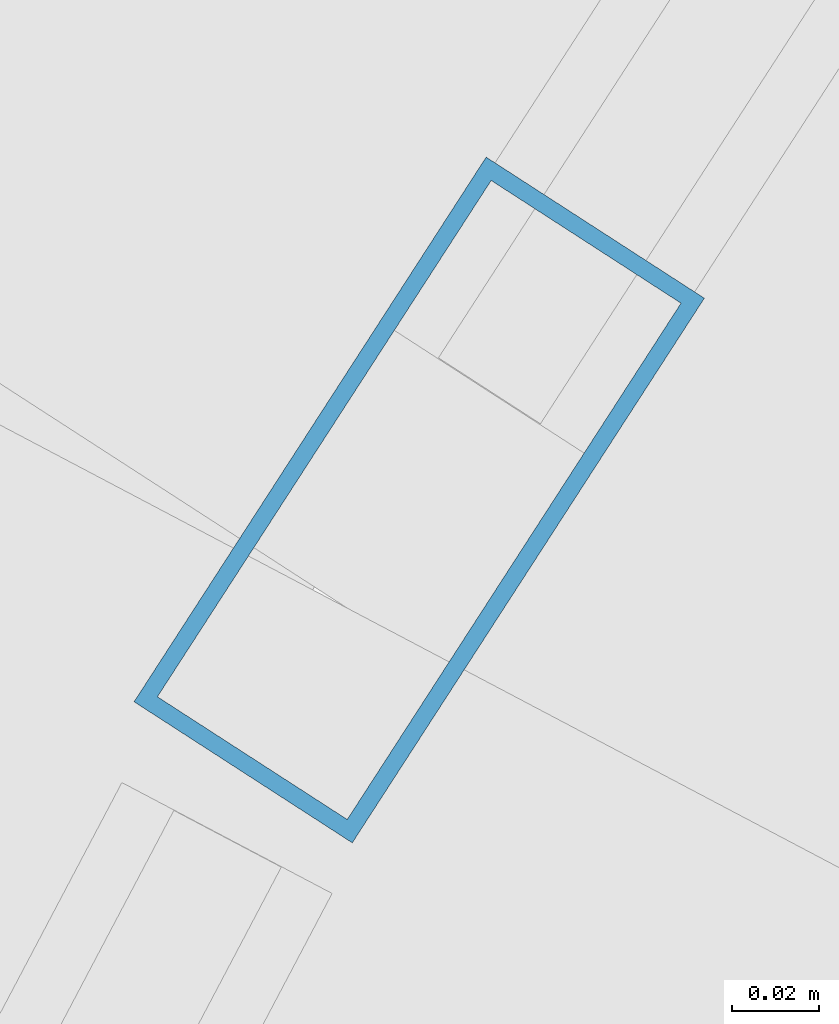
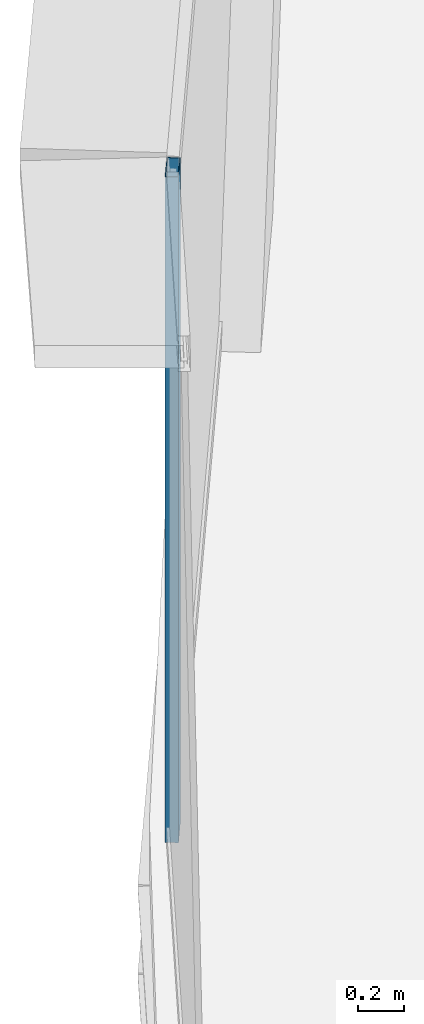
# One storey, part 16 of 37: 1 member, 1 element without a shape of its own.
"""IFC4 building model written with IfcOpenShell, lengths in metres."""

from ifc_helpers import new_model, si_unit, direction, frame, origin, origin_2d, place, context, subcontext, project, spatial, hollow_rectangle, extrude, source, transform, mapped, material, layer, layer_set, material_profile, profile_set, type_object, element, aggregate, save


model = new_model("IFC4")

# Units and contexts
model_context = context("Model", 3, precision=1e-05, world=origin(), true_north=direction((0.0, 1.0)))
body_context = subcontext(model_context, "Body", "Model", "MODEL_VIEW")
ifc_project = project(units=[si_unit("LENGTHUNIT", "METRE"), si_unit("AREAUNIT", "SQUARE_METRE"), si_unit("VOLUMEUNIT", "CUBIC_METRE"), si_unit("PLANEANGLEUNIT", "RADIAN"), si_unit("MASSUNIT", "GRAM", prefix="KILO"), si_unit("THERMODYNAMICTEMPERATUREUNIT", "KELVIN"), si_unit("POWERUNIT", "WATT")], contexts=[model_context])

# Site, building, storey
site_placement = place(None, origin())
site = spatial("IfcSite", under=ifc_project, at=site_placement, CompositionType="ELEMENT")
building_placement = place(site_placement, origin())
building = spatial("IfcBuilding", under=site, at=building_placement, Name="Yunzhuo Pagoda Commons", CompositionType="ELEMENT")
storey_placement = place(building_placement, frame((0.0, 0.0, 196.159912109375)))
storey = spatial("IfcBuildingStorey", under=building, at=storey_placement, Name="L49", CompositionType="ELEMENT", Elevation=196.159912109375)

# Curtain wall, member
ifc_material = material(Name="Anodized aluminium 6063-T6", Category="aluminium")
ifc_layer = layer(ifc_material, 0.14990234375)
ifc_layer_set = layer_set([ifc_layer], Name="Anodized aluminium 6063-T6")
curtain_wall_type = type_object("IfcCurtainWallType", Name="CW-MID Mid-Zone Ribbon Curtain Wall", PredefinedType="NOTDEFINED", material=ifc_layer_set)
curtain_wall_placement = place(storey_placement, origin())
curtain_wall = element("IfcCurtainWall", 1, at=curtain_wall_placement, inside=storey, type_object=curtain_wall_type, Name="L49 curtain wall CW-L49-F3B2", PredefinedType="NOTDEFINED")
ifc_material_profile = material_profile(ifc_material, hollow_rectangle(XDim=0.06005859375, YDim=0.14990234375, WallThickness=0.00390625, at=origin_2d()), Name="Anodized aluminium 6063-T6")
ifc_profile_set = profile_set([ifc_material_profile], Name="Anodized aluminium 6063-T6")
member_type = type_object("IfcMemberType", Name="CW-MID-M Mullion RHS 150x60x4", PredefinedType="MULLION", material=ifc_profile_set)
shared_shape = source(origin(), body_context, "Body", "SweptSolid", [
    extrude(hollow_rectangle(XDim=0.06005859375, YDim=0.14990234375, WallThickness=0.00390625, at=origin_2d()), origin(), (0.0, 0.0, 1.0), 3.5400390625),
])
member_placement = place(storey_placement, frame((23.89208984375, 55.44677734375, 0.0), z_axis=(0.0, 0.0, 1.0), x_axis=(0.839794048542, -0.542905107761, 0.0)))
member = element("IfcMember", 2, at=member_placement, type_object=member_type, Name="CW mullion 2", PredefinedType="MULLION", context=body_context, shape_type="MappedRepresentation", body=[
    mapped(shared_shape, transform((0.0, 0.0, 0.0), scale=1.0)),
])
aggregate(curtain_wall, [member])

save(model, "model.ifc")
